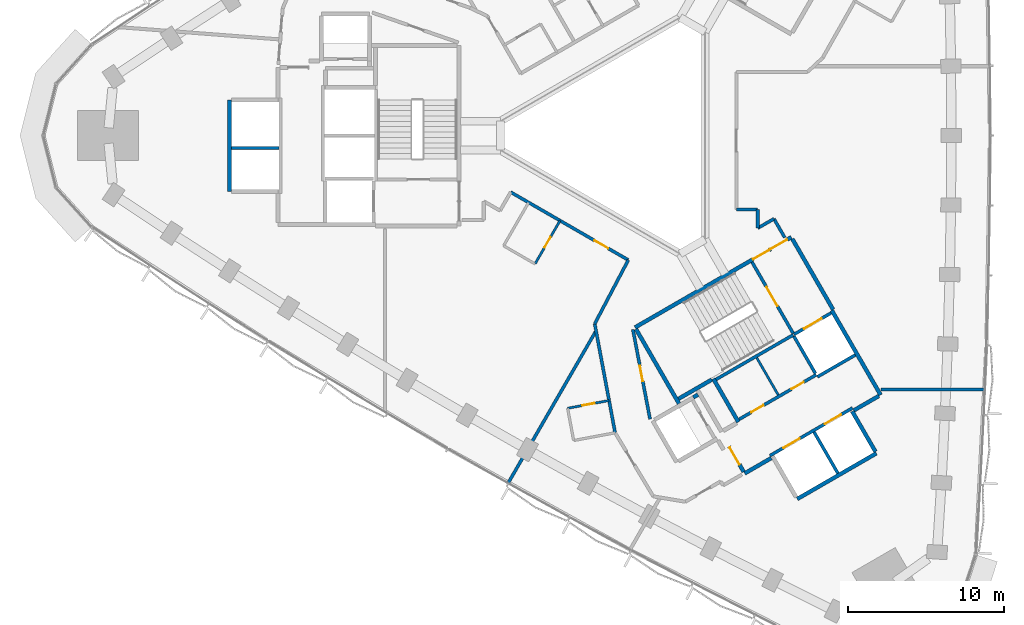
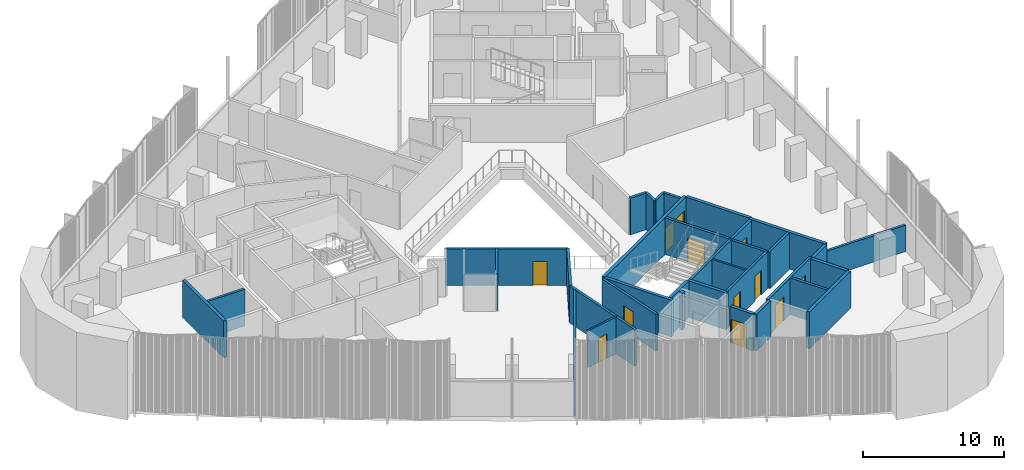
# One storey, part 8 of 15: 35 walls, 13 doors, 13 openings.
"""IFC4 building model written with IfcOpenShell, lengths in metres."""

import ifcopenshell
import ifcopenshell.guid

model = None  # the IFC model being written
_history = None  # IfcOwnerHistory: only IFC2X3 demands one
_inside = {}  # id of a spatial element -> (the spatial element, [elements in it])
_under = {}  # id of a project, library or spatial element -> (it, [spatial elements below it])
_declared = {}  # id of a project -> (the project, [libraries it declares])
_typed = {}  # id of a type object -> (the type object, [elements of that type])
_made_of = {}  # id of a material, layer set ... -> (it, [elements and type objects made of it])


def new_model(schema):
    """Start an empty IFC model of exactly this schema.

    Asked for "IFC4X3", IfcOpenShell would pick the latest addendum, in which some entities
    have other attributes; the version numbers below select the first issue.
    IFC2X3 requires an IfcOwnerHistory on every rooted entity: one is made here for all.
    """
    global model, _history
    if schema == "IFC4X3":
        model = ifcopenshell.file(schema_version=(4, 3, 0, 0))
    else:
        model = ifcopenshell.file(schema=schema)
    _inside.clear()
    _under.clear()
    _declared.clear()
    _typed.clear()
    _made_of.clear()
    _history = None
    if model.schema == "IFC2X3":
        org = make("IfcOrganization", Name="unknown")
        user = make(
            "IfcPersonAndOrganization",
            ThePerson=make("IfcPerson", FamilyName="unknown"),
            TheOrganization=org,
        )
        app = make(
            "IfcApplication",
            ApplicationDeveloper=org,
            Version="unknown",
            ApplicationFullName="unknown",
            ApplicationIdentifier="unknown",
        )
        _history = make(
            "IfcOwnerHistory",
            OwningUser=user,
            OwningApplication=app,
            ChangeAction="ADDED",
            CreationDate=0,
        )
    return model


def make(cls, **values):
    """One entity of the class cls with the attributes given. An attribute that is None is left unset."""
    return model.create_entity(
        cls, **{name: value for name, value in values.items() if value is not None}
    )


def rooted(cls, **values):
    """An entity with a GlobalId (a new one), such as an element, a storey or a relation."""
    return make(cls, GlobalId=ifcopenshell.guid.new(), OwnerHistory=_history, **values)


def si_unit(unit_type, name, prefix=None):
    """IfcSIUnit, for example si_unit("LENGTHUNIT", "METRE", prefix="MILLI")."""
    return make("IfcSIUnit", UnitType=unit_type, Prefix=prefix, Name=name)


def assignment(units):
    """IfcUnitAssignment: the units of a project."""
    return None if units is None else make("IfcUnitAssignment", Units=units)


def point(xyz):
    """IfcCartesianPoint."""
    return None if xyz is None else make("IfcCartesianPoint", Coordinates=xyz)


def direction(xyz):
    """IfcDirection."""
    return None if xyz is None else make("IfcDirection", DirectionRatios=xyz)


def frame(location, z_axis=None, x_axis=None):
    """IfcAxis2Placement3D, a coordinate frame: its origin and axes. An axis left out is left unset."""
    return make(
        "IfcAxis2Placement3D",
        Location=point(location),
        Axis=direction(z_axis),
        RefDirection=direction(x_axis),
    )


def frame_2d(location, x_axis=None):
    """IfcAxis2Placement2D, a coordinate frame in the plane: its origin and x axis."""
    return make(
        "IfcAxis2Placement2D", Location=point(location), RefDirection=direction(x_axis)
    )


def origin():
    """The frame at (0, 0, 0) with its axes left unset."""
    return frame((0.0, 0.0, 0.0))


def place(relative_to, where):
    """IfcLocalPlacement: puts the frame where relative to a parent placement (None: the world)."""
    return make(
        "IfcLocalPlacement", PlacementRelTo=relative_to, RelativePlacement=where
    )


def context(
    kind, dimensions, precision=None, world=None, true_north=None, identifier=None
):
    """IfcGeometricRepresentationContext, for example the 3D "Model" context."""
    return make(
        "IfcGeometricRepresentationContext",
        ContextIdentifier=identifier,
        ContextType=kind,
        CoordinateSpaceDimension=dimensions,
        Precision=precision,
        WorldCoordinateSystem=world,
        TrueNorth=true_north,
    )


def subcontext(parent, identifier, kind, view, scale=None):
    """IfcGeometricRepresentationSubContext, for example "Body" below "Model"."""
    return make(
        "IfcGeometricRepresentationSubContext",
        ContextIdentifier=identifier,
        ContextType=kind,
        ParentContext=parent,
        TargetScale=scale,
        TargetView=view,
    )


def project(units=None, contexts=None):
    """IfcProject with its units and contexts."""
    return rooted(
        "IfcProject",
        Name="project",
        RepresentationContexts=contexts,
        UnitsInContext=assignment(units),
    )


def spatial(cls, under=None, at=None, **own):
    """A site, building, storey or space (cls), placed at a placement, below another one or the project."""
    s = rooted(cls, ObjectPlacement=at, **own)
    if under is not None:
        _under.setdefault(under.id(), (under, []))[1].append(s)
    return s


def profile(cls, at=None, kind="AREA", **sizes):
    """A parametric profile (cls). Its sizes go by their IFC names, for example OverallWidth=200.0."""
    return make(cls, ProfileType=kind, Position=at, **sizes)


def rectangle(**sizes):
    """IfcRectangleProfileDef."""
    return profile("IfcRectangleProfileDef", **sizes)


def extrude(swept, where, along, depth):
    """IfcExtrudedAreaSolid: the profile swept, set in the frame where, extruded along a direction by depth."""
    return make(
        "IfcExtrudedAreaSolid",
        SweptArea=swept,
        Position=where,
        ExtrudedDirection=direction(along),
        Depth=depth,
    )


def shape(context_of_items, identifier, shape_type, items):
    """IfcShapeRepresentation: the items that make up one representation, for example the "Body"."""
    return make(
        "IfcShapeRepresentation",
        ContextOfItems=context_of_items,
        RepresentationIdentifier=identifier,
        RepresentationType=shape_type,
        Items=items,
    )


def material(Name=None, Category=None):
    """IfcMaterial."""
    return make("IfcMaterial", Name=Name, Category=Category)


def layer(
    of_material, thickness, ventilated=None, Name=None, Category=None, Priority=None
):
    """IfcMaterialLayer: one layer of a wall or slab, of a material (None: an air gap)."""
    return make(
        "IfcMaterialLayer",
        Material=of_material,
        LayerThickness=thickness,
        IsVentilated=ventilated,
        Name=Name,
        Category=Category,
        Priority=Priority,
    )


def layer_set(layers, Name=None):
    """IfcMaterialLayerSet."""
    return make("IfcMaterialLayerSet", MaterialLayers=layers, LayerSetName=Name)


def made_of(thing, what):
    """Note that an element or type object is made of a material, layer set ...; save() writes the relation."""
    if what is not None:
        _made_of.setdefault(what.id(), (what, []))[1].append(thing)
    return thing


def type_object(cls, material=None, **own):
    """A type object (cls), such as IfcWallType, which elements share."""
    return made_of(rooted(cls, **own), material)


def element(
    cls,
    number,
    at=None,
    inside=None,
    cuts=None,
    type_object=None,
    material=None,
    context=None,
    identifier="Body",
    shape_type=None,
    held_by="IfcProductDefinitionShape",
    body=None,
    shapes=None,
    **own,
):
    """One element of the class cls, such as IfcWall. Its Tag is "e" and its number.

    at: its placement. inside: the storey or other place that contains it. cuts: it is an
    opening in that element (IfcRelVoidsElement). A single representation is given by context,
    identifier, shape_type and body (its items); several are given by shapes. held_by: the class
    of the entity that holds the representations. save() writes the other relations.
    """
    e = rooted(cls, Tag="e%d" % number, ObjectPlacement=at, **own)
    if body is not None:
        shapes = [shape(context, identifier, shape_type, body)]
    if shapes is not None:
        e.Representation = make(held_by, Representations=shapes)
    if inside is not None:
        _inside.setdefault(inside.id(), (inside, []))[1].append(e)
    if cuts is not None:
        rooted(
            "IfcRelVoidsElement", RelatingBuildingElement=cuts, RelatedOpeningElement=e
        )
    if type_object is not None:
        _typed.setdefault(type_object.id(), (type_object, []))[1].append(e)
    return made_of(e, material)


def fill(opening, filler):
    """IfcRelFillsElement: the door or window that sits in an opening."""
    return rooted(
        "IfcRelFillsElement",
        RelatingOpeningElement=opening,
        RelatedBuildingElement=filler,
    )


def aggregate(whole, parts):
    """IfcRelAggregates: a whole, such as a stair, and the parts it consists of."""
    return rooted("IfcRelAggregates", RelatingObject=whole, RelatedObjects=parts)


def save(model, path):
    """Write the relations noted so far, then the file.

    IfcRelAggregates (storeys below a building ...), IfcRelContainedInSpatialStructure (elements
    in a storey), IfcRelDefinesByType, IfcRelAssociatesMaterial and IfcRelDeclares: one each for
    every whole, place, type object, material and project.
    """
    for whole, parts in _under.values():
        aggregate(whole, parts)
    for where, things in _inside.values():
        rooted(
            "IfcRelContainedInSpatialStructure",
            RelatedElements=things,
            RelatingStructure=where,
        )
    for kind, things in _typed.values():
        rooted("IfcRelDefinesByType", RelatedObjects=things, RelatingType=kind)
    for what, things in _made_of.values():
        rooted("IfcRelAssociatesMaterial", RelatedObjects=things, RelatingMaterial=what)
    for by, libraries in _declared.values():
        rooted("IfcRelDeclares", RelatingContext=by, RelatedDefinitions=libraries)
    model.write(path)


model = new_model("IFC4")

# Units and contexts
model_context = context("Model", 3, precision=1e-05, world=origin(), true_north=direction((0.0, 1.0)))
body_context = subcontext(model_context, "Body", "Model", "MODEL_VIEW")
ifc_project = project(units=[si_unit("LENGTHUNIT", "METRE"), si_unit("AREAUNIT", "SQUARE_METRE"), si_unit("VOLUMEUNIT", "CUBIC_METRE"), si_unit("PLANEANGLEUNIT", "RADIAN"), si_unit("MASSUNIT", "GRAM", prefix="KILO")], contexts=[model_context])

# Site, building, storey
site_placement = place(None, origin())
site = spatial("IfcSite", under=ifc_project, at=site_placement, CompositionType="ELEMENT")
building_placement = place(site_placement, origin())
building = spatial("IfcBuilding", under=site, at=building_placement, Name="Tamra Quay Hotel Tower", CompositionType="ELEMENT")
storey_placement = place(building_placement, frame((0.0, 0.0, 101.0)))
storey = spatial("IfcBuildingStorey", under=building, at=storey_placement, Name="L24", CompositionType="ELEMENT", Elevation=101.0)

# Wall
ifc_material_1 = material(Name="Concrete M70", Category="concrete")
ifc_layer_1 = layer(ifc_material_1, 0.199951171875)
ifc_layer_set_1 = layer_set([ifc_layer_1], Name="Concrete M70 core wall 200")
wall_type_1 = type_object("IfcWallType", Name="Concrete M70 core wall 200", PredefinedType="SHEAR", material=ifc_layer_set_1)
wall_1_placement = place(storey_placement, frame((-22.36328125, -0.800048828125, 0.0), z_axis=(0.0, 0.0, 1.0), x_axis=(-1.0, 0.0, 0.0)))
element("IfcWall", 1, at=wall_1_placement, inside=storey, type_object=wall_type_1, Name="CW2", PredefinedType="SHEAR", context=body_context, shape_type="SweptSolid", body=[
    extrude(rectangle(XDim=3.048095703125, YDim=0.199951171875, at=frame_2d((1.52392578125, 0.0))), origin(), (0.0, 0.0, 1.0), 3.175048828125),
])

# Wall, openings, doors
wall_2_placement = place(storey_placement, frame((9.052490234375, -20.479736328125, 0.0), z_axis=(0.0, 0.0, 1.0), x_axis=(0.866030299012, 0.499991521122, 0.0)))
wall_2 = element("IfcWall", 2, at=wall_2_placement, inside=storey, type_object=wall_type_1, Name="CW2", PredefinedType="SHEAR", context=body_context, shape_type="SweptSolid", body=[
    extrude(rectangle(XDim=6.10009765625, YDim=0.199951171875, at=frame_2d((3.050048828125, 0.0))), origin(), (0.0, 0.0, 1.0), 3.175048828125),
])
opening_1_placement = place(wall_2_placement, frame((1.0, 0.0, 0.0)))
opening_1 = element("IfcOpeningElement", 3, at=opening_1_placement, cuts=wall_2, Name="Opening LD", PredefinedType="OPENING", context=body_context, shape_type="SweptSolid", body=[
    extrude(rectangle(XDim=1.199951171875, YDim=2.10009765625, at=frame_2d((0.60009765625, 1.050048828125))), frame((0.0, 0.10986328125, 0.0), z_axis=(0.0, -1.0, 0.0), x_axis=(1.0, 0.0, 0.0)), (0.0, 0.0, 1.0), 0.219970703125),
])
opening_2_placement = place(wall_2_placement, frame((4.05029296875, 0.0, 0.0)))
opening_2 = element("IfcOpeningElement", 4, at=opening_2_placement, cuts=wall_2, Name="Opening LD", PredefinedType="OPENING", context=body_context, shape_type="SweptSolid", body=[
    extrude(rectangle(XDim=1.199951171875, YDim=2.10009765625, at=frame_2d((0.60009765625, 1.050048828125))), frame((0.0, 0.10986328125, 0.0), z_axis=(0.0, -1.0, 0.0), x_axis=(1.0, 0.0, 0.0)), (0.0, 0.0, 1.0), 0.219970703125),
])
ifc_material_2 = material(Name="Landing door LD 1200 double door sliding")
door_type_1 = type_object("IfcDoorType", Name="Landing door LD 1200 double door sliding", OperationType="DOUBLE_DOOR_SLIDING", PredefinedType="DOOR", material=ifc_material_2)
door_1_placement = place(opening_1_placement, origin())
door_1 = element("IfcDoor", 5, at=door_1_placement, inside=storey, type_object=door_type_1, Name="LD", OperationType="DOUBLE_DOOR_SLIDING", OverallHeight=2.10009765625, OverallWidth=1.199951171875, PredefinedType="DOOR", context=body_context, shape_type="SweptSolid", body=[
    extrude(rectangle(XDim=1.199951171875, YDim=2.10009765625, at=frame_2d((0.60009765625, 1.050048828125))), frame((0.0, 0.02490234375, 0.0), z_axis=(0.0, -1.0, 0.0), x_axis=(1.0, 0.0, 0.0)), (0.0, 0.0, 1.0), 0.050048828125),
])
fill(opening_1, door_1)
door_2_placement = place(opening_2_placement, origin())
door_2 = element("IfcDoor", 6, at=door_2_placement, inside=storey, type_object=door_type_1, Name="LD", OperationType="DOUBLE_DOOR_SLIDING", OverallHeight=2.10009765625, OverallWidth=1.199951171875, PredefinedType="DOOR", context=body_context, shape_type="SweptSolid", body=[
    extrude(rectangle(XDim=1.199951171875, YDim=2.10009765625, at=frame_2d((0.60009765625, 1.050048828125))), frame((0.0, 0.02490234375, 0.0), z_axis=(0.0, -1.0, 0.0), x_axis=(1.0, 0.0, 0.0)), (0.0, 0.0, 1.0), 0.050048828125),
])
fill(opening_2, door_2)

# Wall
wall_3_placement = place(storey_placement, frame((10.537841796875, -12.751953125, 0.0), z_axis=(0.0, 0.0, 1.0), x_axis=(-0.866038630372, -0.499977090179, 0.0)))
element("IfcWall", 7, at=wall_3_placement, inside=storey, type_object=wall_type_1, Name="CW2", PredefinedType="SHEAR", context=body_context, shape_type="SweptSolid", body=[
    extrude(rectangle(XDim=5.698974609375, YDim=0.199951171875, at=frame_2d((2.849609375, 0.0))), origin(), (0.0, 0.0, 1.0), 3.175048828125),
])

# Wall, openings, doors
wall_4_placement = place(storey_placement, frame((7.0771484375, -18.156005859375, 0.0), z_axis=(0.0, 0.0, 1.0), x_axis=(0.866038630372, 0.499977090179, 0.0)))
wall_4 = element("IfcWall", 8, at=wall_4_placement, inside=storey, type_object=wall_type_1, Name="CW2", PredefinedType="SHEAR", context=body_context, shape_type="SweptSolid", body=[
    extrude(rectangle(XDim=5.698974609375, YDim=0.199951171875, at=frame_2d((2.849609375, 0.0))), origin(), (0.0, 0.0, 1.0), 3.175048828125),
])
opening_3_placement = place(wall_4_placement, frame((0.89892578125, 0.0, 0.0)))
opening_3 = element("IfcOpeningElement", 9, at=opening_3_placement, cuts=wall_4, Name="Opening D2", PredefinedType="OPENING", context=body_context, shape_type="SweptSolid", body=[
    extrude(rectangle(XDim=0.89990234375, YDim=2.10009765625, at=frame_2d((0.449951171875, 1.050048828125))), frame((0.0, 0.10986328125, 0.0), z_axis=(0.0, -1.0, 0.0), x_axis=(1.0, 0.0, 0.0)), (0.0, 0.0, 1.0), 0.219970703125),
])
opening_4_placement = place(wall_4_placement, frame((3.8740234375, 0.0, 0.0)))
opening_4 = element("IfcOpeningElement", 10, at=opening_4_placement, cuts=wall_4, Name="Opening D2", PredefinedType="OPENING", context=body_context, shape_type="SweptSolid", body=[
    extrude(rectangle(XDim=0.89990234375, YDim=2.10009765625, at=frame_2d((0.449951171875, 1.050048828125))), frame((0.0, 0.10986328125, 0.0), z_axis=(0.0, -1.0, 0.0), x_axis=(1.0, 0.0, 0.0)), (0.0, 0.0, 1.0), 0.219970703125),
])
ifc_material_3 = material(Name="Core door D2 900x2100 LH")
door_type_2 = type_object("IfcDoorType", Name="Core door D2 900x2100 LH", OperationType="NOTDEFINED", PredefinedType="DOOR", material=ifc_material_3)
door_3_placement = place(opening_3_placement, origin())
door_3 = element("IfcDoor", 11, at=door_3_placement, inside=storey, type_object=door_type_2, Name="D2", OperationType="SINGLE_SWING_LEFT", OverallHeight=2.10009765625, OverallWidth=0.89990234375, PredefinedType="DOOR", context=body_context, shape_type="SweptSolid", body=[
    extrude(rectangle(XDim=0.89990234375, YDim=2.10009765625, at=frame_2d((0.449951171875, 1.050048828125))), frame((0.0, 0.02490234375, 0.0), z_axis=(0.0, -1.0, 0.0), x_axis=(1.0, 0.0, 0.0)), (0.0, 0.0, 1.0), 0.050048828125),
])
fill(opening_3, door_3)
ifc_material_4 = material(Name="Core door D2 900x2100 RH")
door_type_3 = type_object("IfcDoorType", Name="Core door D2 900x2100 RH", OperationType="NOTDEFINED", PredefinedType="DOOR", material=ifc_material_4)
door_4_placement = place(opening_4_placement, origin())
door_4 = element("IfcDoor", 12, at=door_4_placement, inside=storey, type_object=door_type_3, Name="D2", OperationType="SINGLE_SWING_RIGHT", OverallHeight=2.10009765625, OverallWidth=0.89990234375, PredefinedType="DOOR", context=body_context, shape_type="SweptSolid", body=[
    extrude(rectangle(XDim=0.89990234375, YDim=2.10009765625, at=frame_2d((0.449951171875, 1.050048828125))), frame((0.0, 0.02490234375, 0.0), z_axis=(0.0, -1.0, 0.0), x_axis=(1.0, 0.0, 0.0)), (0.0, 0.0, 1.0), 0.050048828125),
])
fill(opening_4, door_4)

# Wall, opening, door
wall_5_placement = place(storey_placement, frame((7.906494140625, -8.094482421875, 0.0), z_axis=(0.0, 0.0, 1.0), x_axis=(0.500024287448, -0.866011380966, 0.0)))
wall_5 = element("IfcWall", 13, at=wall_5_placement, inside=storey, type_object=wall_type_1, Name="CW2", PredefinedType="SHEAR", context=body_context, shape_type="SweptSolid", body=[
    extrude(rectangle(XDim=5.251220703125, YDim=0.199951171875, at=frame_2d((2.62548828125, 0.0))), origin(), (0.0, 0.0, 1.0), 3.175048828125),
])
opening_5_placement = place(wall_5_placement, frame((1.84912109375, 0.0, 0.0)))
opening_5 = element("IfcOpeningElement", 14, at=opening_5_placement, cuts=wall_5, Name="Opening FD2", PredefinedType="OPENING", context=body_context, shape_type="SweptSolid", body=[
    extrude(rectangle(XDim=1.39990234375, YDim=2.10009765625, at=frame_2d((0.699951171875, 1.050048828125))), frame((0.0, 0.10986328125, 0.0), z_axis=(0.0, -1.0, 0.0), x_axis=(1.0, 0.0, 0.0)), (0.0, 0.0, 1.0), 0.219970703125),
])
ifc_material_5 = material(Name="Core door FD2 1400x2100 RH")
door_type_4 = type_object("IfcDoorType", Name="Core door FD2 1400x2100 RH", OperationType="NOTDEFINED", PredefinedType="DOOR", material=ifc_material_5)
door_5_placement = place(opening_5_placement, origin())
door_5 = element("IfcDoor", 15, at=door_5_placement, inside=storey, type_object=door_type_4, Name="FD2", OperationType="SINGLE_SWING_RIGHT", OverallHeight=2.10009765625, OverallWidth=1.39990234375, PredefinedType="DOOR", context=body_context, shape_type="SweptSolid", body=[
    extrude(rectangle(XDim=1.39990234375, YDim=2.10009765625, at=frame_2d((0.699951171875, 1.050048828125))), frame((0.0, 0.02490234375, 0.0), z_axis=(0.0, -1.0, 0.0), x_axis=(1.0, 0.0, 0.0)), (0.0, 0.0, 1.0), 0.050048828125),
])
fill(opening_5, door_5)

# Walls
wall_6_placement = place(storey_placement, frame((11.87451171875, -18.967041015625, 0.0), z_axis=(0.0, 0.0, 1.0), x_axis=(0.49998131003, -0.866036194175, 0.0)))
element("IfcWall", 16, at=wall_6_placement, inside=storey, type_object=wall_type_1, Name="CW2", PredefinedType="SHEAR", context=body_context, shape_type="SweptSolid", body=[
    extrude(rectangle(XDim=3.0478515625, YDim=0.199951171875, at=frame_2d((1.52392578125, 0.0))), origin(), (0.0, 0.0, 1.0), 3.175048828125),
])
wall_7_placement = place(storey_placement, frame((11.962646484375, -15.219970703125, 0.0), z_axis=(0.0, 0.0, 1.0), x_axis=(-0.500034990121, 0.866005201286, 0.0)))
element("IfcWall", 17, at=wall_7_placement, inside=storey, type_object=wall_type_1, Name="CW2", PredefinedType="SHEAR", context=body_context, shape_type="SweptSolid", body=[
    extrude(rectangle(XDim=2.749755859375, YDim=0.199951171875, at=frame_2d((1.375, 0.0))), origin(), (0.0, 0.0, 1.0), 3.175048828125),
])

# Wall, opening, door
wall_8_placement = place(storey_placement, frame((10.587158203125, -12.72314453125, 0.0), z_axis=(0.0, 0.0, 1.0), x_axis=(0.866037306777, 0.499979382845, 0.0)))
wall_8 = element("IfcWall", 18, at=wall_8_placement, inside=storey, type_object=wall_type_1, Name="CW2", PredefinedType="SHEAR", context=body_context, shape_type="SweptSolid", body=[
    extrude(rectangle(XDim=2.74169921875, YDim=0.199951171875, at=frame_2d((1.370849609375, 0.0))), origin(), (0.0, 0.0, 1.0), 3.175048828125),
])
opening_6_placement = place(wall_8_placement, frame((0.742919921875, 0.0, 0.0)))
opening_6 = element("IfcOpeningElement", 19, at=opening_6_placement, cuts=wall_8, Name="Opening LD", PredefinedType="OPENING", context=body_context, shape_type="SweptSolid", body=[
    extrude(rectangle(XDim=1.300048828125, YDim=2.10009765625, at=frame_2d((0.64990234375, 1.050048828125))), frame((0.0, 0.10986328125, 0.0), z_axis=(0.0, -1.0, 0.0), x_axis=(1.0, 0.0, 0.0)), (0.0, 0.0, 1.0), 0.219970703125),
])
ifc_material_6 = material(Name="Landing door LD 1300 sliding to right")
door_type_5 = type_object("IfcDoorType", Name="Landing door LD 1300 sliding to right", OperationType="NOTDEFINED", PredefinedType="DOOR", material=ifc_material_6)
door_6_placement = place(opening_6_placement, origin())
door_6 = element("IfcDoor", 20, at=door_6_placement, inside=storey, type_object=door_type_5, Name="LD", OperationType="SLIDING_TO_RIGHT", OverallHeight=2.10009765625, OverallWidth=1.300048828125, PredefinedType="DOOR", context=body_context, shape_type="SweptSolid", body=[
    extrude(rectangle(XDim=1.300048828125, YDim=2.10009765625, at=frame_2d((0.64990234375, 1.050048828125))), frame((0.0, 0.02490234375, 0.0), z_axis=(0.0, -1.0, 0.0), x_axis=(1.0, 0.0, 0.0)), (0.0, 0.0, 1.0), 0.050048828125),
])
fill(opening_6, door_6)

# Walls
wall_9_placement = place(storey_placement, frame((14.51171875, -14.037109375, 0.0), z_axis=(0.0, 0.0, 1.0), x_axis=(-0.866044696403, -0.499966582715, 0.0)))
element("IfcWall", 21, at=wall_9_placement, inside=storey, type_object=wall_type_1, Name="CW2", PredefinedType="SHEAR", context=body_context, shape_type="SweptSolid", body=[
    extrude(rectangle(XDim=2.799072265625, YDim=0.199951171875, at=frame_2d((1.3994140625, 0.0))), origin(), (0.0, 0.0, 1.0), 3.175048828125),
])
ifc_layer_2 = layer(ifc_material_1, 0.25)
ifc_layer_set_2 = layer_set([ifc_layer_2], Name="Concrete M70 core wall 250")
wall_type_2 = type_object("IfcWallType", Name="Concrete M70 core wall 250", PredefinedType="SHEAR", material=ifc_layer_set_2)
wall_10_placement = place(storey_placement, frame((-25.537353515625, -3.574951171875, 0.0), z_axis=(0.0, 0.0, 1.0), x_axis=(0.0, 1.0, 0.0)))
element("IfcWall", 22, at=wall_10_placement, inside=storey, type_object=wall_type_2, Name="CW1", PredefinedType="SHEAR", context=body_context, shape_type="SweptSolid", body=[
    extrude(rectangle(XDim=5.849853515625, YDim=0.25, at=frame_2d((2.9248046875, 0.0))), origin(), (0.0, 0.0, 1.0), 3.175048828125),
])

# Wall, openings, doors
wall_11_placement = place(storey_placement, frame((0.417236328125, -12.27294921875, 0.0), z_axis=(0.0, 0.0, 1.0), x_axis=(0.866021906294, 0.500006057782, 0.0)))
wall_11 = element("IfcWall", 23, at=wall_11_placement, inside=storey, type_object=wall_type_2, Name="CW1", PredefinedType="SHEAR", context=body_context, shape_type="SweptSolid", body=[
    extrude(rectangle(XDim=11.550048828125, YDim=0.25, at=frame_2d((5.77490234375, 0.0))), origin(), (0.0, 0.0, 1.0), 3.175048828125),
])
opening_7_placement = place(wall_11_placement, frame((10.024658203125, 0.0, 0.0)))
opening_7 = element("IfcOpeningElement", 24, at=opening_7_placement, cuts=wall_11, Name="Opening FD1", PredefinedType="OPENING", context=body_context, shape_type="SweptSolid", body=[
    extrude(rectangle(XDim=1.199951171875, YDim=2.10009765625, at=frame_2d((0.60009765625, 1.050048828125))), frame((0.0, 0.135009765625, 0.0), z_axis=(0.0, -1.0, 0.0), x_axis=(1.0, 0.0, 0.0)), (0.0, 0.0, 1.0), 0.27001953125),
])
opening_8_placement = place(wall_11_placement, frame((8.724609375, 0.0, 0.0)))
opening_8 = element("IfcOpeningElement", 25, at=opening_8_placement, cuts=wall_11, Name="Opening FD1", PredefinedType="OPENING", context=body_context, shape_type="SweptSolid", body=[
    extrude(rectangle(XDim=1.199951171875, YDim=2.10009765625, at=frame_2d((0.60009765625, 1.050048828125))), frame((0.0, 0.135009765625, 0.0), z_axis=(0.0, -1.0, 0.0), x_axis=(1.0, 0.0, 0.0)), (0.0, 0.0, 1.0), 0.27001953125),
])
ifc_material_7 = material(Name="Core door FD1 1200x2100 LH")
door_type_6 = type_object("IfcDoorType", Name="Core door FD1 1200x2100 LH", OperationType="NOTDEFINED", PredefinedType="DOOR", material=ifc_material_7)
door_7_placement = place(opening_7_placement, origin())
door_7 = element("IfcDoor", 26, at=door_7_placement, inside=storey, type_object=door_type_6, Name="FD1", OperationType="SINGLE_SWING_LEFT", OverallHeight=2.10009765625, OverallWidth=1.199951171875, PredefinedType="DOOR", context=body_context, shape_type="SweptSolid", body=[
    extrude(rectangle(XDim=1.199951171875, YDim=2.10009765625, at=frame_2d((0.60009765625, 1.050048828125))), frame((0.0, 0.02490234375, 0.0), z_axis=(0.0, -1.0, 0.0), x_axis=(1.0, 0.0, 0.0)), (0.0, 0.0, 1.0), 0.050048828125),
])
fill(opening_7, door_7)
ifc_material_8 = material(Name="Core door FD1 1200x2100 RH")
door_type_7 = type_object("IfcDoorType", Name="Core door FD1 1200x2100 RH", OperationType="NOTDEFINED", PredefinedType="DOOR", material=ifc_material_8)
door_8_placement = place(opening_8_placement, origin())
door_8 = element("IfcDoor", 27, at=door_8_placement, inside=storey, type_object=door_type_7, Name="FD1", OperationType="SINGLE_SWING_RIGHT", OverallHeight=2.10009765625, OverallWidth=1.199951171875, PredefinedType="DOOR", context=body_context, shape_type="SweptSolid", body=[
    extrude(rectangle(XDim=1.199951171875, YDim=2.10009765625, at=frame_2d((0.60009765625, 1.050048828125))), frame((0.0, 0.02490234375, 0.0), z_axis=(0.0, -1.0, 0.0), x_axis=(1.0, 0.0, 0.0)), (0.0, 0.0, 1.0), 0.050048828125),
])
fill(opening_8, door_8)

# Walls
wall_12_placement = place(storey_placement, frame((13.00830078125, -11.18115234375, 0.0), z_axis=(0.0, 0.0, 1.0), x_axis=(0.500004234368, -0.866022959057, 0.0)))
element("IfcWall", 28, at=wall_12_placement, inside=storey, type_object=wall_type_2, Name="CW1", PredefinedType="SHEAR", context=body_context, shape_type="SweptSolid", body=[
    extrude(rectangle(XDim=6.25, YDim=0.25, at=frame_2d((3.125, 0.0))), origin(), (0.0, 0.0, 1.0), 3.175048828125),
])
wall_13_placement = place(storey_placement, frame((15.86474609375, -20.328369140625, 0.0), z_axis=(0.0, 0.0, 1.0), x_axis=(-0.86602852612, -0.499994591916, 0.0)))
element("IfcWall", 29, at=wall_13_placement, inside=storey, type_object=wall_type_2, Name="CW1", PredefinedType="SHEAR", context=body_context, shape_type="SweptSolid", body=[
    extrude(rectangle(XDim=5.85009765625, YDim=0.25, at=frame_2d((2.925048828125, 0.0))), origin(), (0.0, 0.0, 1.0), 3.175048828125),
])
wall_14_placement = place(storey_placement, frame((3.23486328125, -17.15283203125, 0.0), z_axis=(0.0, 0.0, 1.0), x_axis=(-0.500008851346, 0.866020293397, 0.0)))
element("IfcWall", 30, at=wall_14_placement, inside=storey, type_object=wall_type_2, Name="CW1", PredefinedType="SHEAR", context=body_context, shape_type="SweptSolid", body=[
    extrude(rectangle(XDim=5.509765625, YDim=0.25, at=frame_2d((2.7548828125, 0.0))), origin(), (0.0, 0.0, 1.0), 3.175048828125),
])
wall_15_placement = place(storey_placement, frame((10.482666015625, -6.6064453125, 0.0), z_axis=(0.0, 0.0, 1.0), x_axis=(0.49999885962, -0.866026062182, 0.0)))
element("IfcWall", 31, at=wall_15_placement, inside=storey, type_object=wall_type_2, Name="CW1", PredefinedType="SHEAR", context=body_context, shape_type="SweptSolid", body=[
    extrude(rectangle(XDim=5.224609375, YDim=0.25, at=frame_2d((2.6123046875, 0.0))), origin(), (0.0, 0.0, 1.0), 3.175048828125),
])
wall_16_placement = place(storey_placement, frame((7.030517578125, -18.327392578125, 0.0), z_axis=(0.0, 0.0, 1.0), x_axis=(-0.499971222258, 0.866042017984, 0.0)))
element("IfcWall", 32, at=wall_16_placement, inside=storey, type_object=wall_type_2, Name="CW1", PredefinedType="SHEAR", context=body_context, shape_type="SweptSolid", body=[
    extrude(rectangle(XDim=3.199951171875, YDim=0.25, at=frame_2d((1.60009765625, 0.0))), origin(), (0.0, 0.0, 1.0), 3.175048828125),
])
wall_17_placement = place(storey_placement, frame((14.314697265625, -17.643798828125, 0.0), z_axis=(0.0, 0.0, 1.0), x_axis=(0.500023226632, -0.866011993467, 0.0)))
element("IfcWall", 33, at=wall_17_placement, inside=storey, type_object=wall_type_2, Name="CW1", PredefinedType="SHEAR", context=body_context, shape_type="SweptSolid", body=[
    extrude(rectangle(XDim=2.974365234375, YDim=0.25, at=frame_2d((1.4873046875, 0.0))), origin(), (0.0, 0.0, 1.0), 3.175048828125),
])
wall_18_placement = place(storey_placement, frame((5.322021484375, -15.618896484375, 0.0), z_axis=(0.0, 0.0, 1.0), x_axis=(-0.866026229868, -0.499998569178, 0.0)))
element("IfcWall", 34, at=wall_18_placement, inside=storey, type_object=wall_type_2, Name="CW1", PredefinedType="SHEAR", context=body_context, shape_type="SweptSolid", body=[
    extrude(rectangle(XDim=2.44921875, YDim=0.25, at=frame_2d((1.224609375, 0.0))), origin(), (0.0, 0.0, 1.0), 3.175048828125),
])
wall_19_placement = place(storey_placement, frame((9.139892578125, -20.63134765625, 0.0), z_axis=(0.0, 0.0, 1.0), x_axis=(-0.866043531843, -0.499968599967, 0.0)))
element("IfcWall", 35, at=wall_19_placement, inside=storey, type_object=wall_type_2, Name="CW1", PredefinedType="SHEAR", context=body_context, shape_type="SweptSolid", body=[
    extrude(rectangle(XDim=1.974853515625, YDim=0.25, at=frame_2d((0.9873046875, 0.0))), origin(), (0.0, 0.0, 1.0), 3.175048828125),
])
wall_20_placement = place(storey_placement, frame((16.024658203125, -16.656494140625, 0.0), z_axis=(0.0, 0.0, 1.0), x_axis=(-0.866016279763, -0.500015802937, 0.0)))
element("IfcWall", 36, at=wall_20_placement, inside=storey, type_object=wall_type_2, Name="CW1", PredefinedType="SHEAR", context=body_context, shape_type="SweptSolid", body=[
    extrude(rectangle(XDim=1.84912109375, YDim=0.25, at=frame_2d((0.924560546875, 0.0))), origin(), (0.0, 0.0, 1.0), 3.175048828125),
])

# Wall, opening, door
wall_21_placement = place(storey_placement, frame((7.3671875, -21.51025390625, 0.0), z_axis=(0.0, 0.0, 1.0), x_axis=(-0.499983108224, 0.866035156036, 0.0)))
wall_21 = element("IfcWall", 37, at=wall_21_placement, inside=storey, type_object=wall_type_2, Name="CW1", PredefinedType="SHEAR", context=body_context, shape_type="SweptSolid", body=[
    extrude(rectangle(XDim=1.86474609375, YDim=0.25, at=frame_2d((0.932373046875, 0.0))), origin(), (0.0, 0.0, 1.0), 3.175048828125),
])
opening_9_placement = place(wall_21_placement, frame((0.53466796875, 0.0, 0.0)))
opening_9 = element("IfcOpeningElement", 38, at=opening_9_placement, cuts=wall_21, Name="Opening FD3", PredefinedType="OPENING", context=body_context, shape_type="SweptSolid", body=[
    extrude(rectangle(XDim=1.25, YDim=2.10009765625, at=frame_2d((0.625, 1.050048828125))), frame((0.0, 0.135009765625, 0.0), z_axis=(0.0, -1.0, 0.0), x_axis=(1.0, 0.0, 0.0)), (0.0, 0.0, 1.0), 0.27001953125),
])
ifc_material_9 = material(Name="Core door FD3 1250x2100 LH")
door_type_8 = type_object("IfcDoorType", Name="Core door FD3 1250x2100 LH", OperationType="NOTDEFINED", PredefinedType="DOOR", material=ifc_material_9)
door_9_placement = place(opening_9_placement, origin())
door_9 = element("IfcDoor", 39, at=door_9_placement, inside=storey, type_object=door_type_8, Name="FD3", OperationType="SINGLE_SWING_LEFT", OverallHeight=2.10009765625, OverallWidth=1.25, PredefinedType="DOOR", context=body_context, shape_type="SweptSolid", body=[
    extrude(rectangle(XDim=1.25, YDim=2.10009765625, at=frame_2d((0.625, 1.050048828125))), frame((0.0, 0.02490234375, 0.0), z_axis=(0.0, -1.0, 0.0), x_axis=(1.0, 0.0, 0.0)), (0.0, 0.0, 1.0), 0.050048828125),
])
fill(opening_9, door_9)

# Walls
wall_22_placement = place(storey_placement, frame((4.144775390625, -16.748779296875, 0.0), z_axis=(0.0, 0.0, 1.0), x_axis=(0.866185586049, 0.49972245349, 0.0)))
element("IfcWall", 40, at=wall_22_placement, inside=storey, type_object=wall_type_2, Name="CW1", PredefinedType="SHEAR", context=body_context, shape_type="SweptSolid", body=[
    extrude(rectangle(XDim=0.344482421875, YDim=0.25, at=frame_2d((0.17236328125, 0.0))), origin(), (0.0, 0.0, 1.0), 3.175048828125),
])
ifc_material_10 = material(Name="Blockwork", Category="masonry")
ifc_layer_3 = layer(ifc_material_10, 0.14990234375)
ifc_layer_set_3 = layer_set([ifc_layer_3], Name="Core partition block 150")
wall_type_3 = type_object("IfcWallType", Name="Core partition block 150", PredefinedType="PARTITIONING", material=ifc_layer_set_3)
wall_23_placement = place(storey_placement, frame((8.20654296875, -14.214111328125, 0.0), z_axis=(0.0, 0.0, 1.0), x_axis=(0.50002746344, -0.86600954718, 0.0)))
element("IfcWall", 41, at=wall_23_placement, inside=storey, type_object=wall_type_3, Name="CP1", PredefinedType="PARTITIONING", context=body_context, shape_type="SweptSolid", body=[
    extrude(rectangle(XDim=2.748291015625, YDim=0.14990234375, at=frame_2d((1.3740234375, 0.0))), origin(), (0.0, 0.0, 1.0), 3.175048828125),
])

# Wall, opening, door
ifc_material_11 = material(Name="Partition corridor wall")
ifc_layer_4 = layer(ifc_material_11, 0.199951171875)
ifc_layer_set_4 = layer_set([ifc_layer_4], Name="Partition corridor wall")
wall_type_4 = type_object("IfcWallType", Name="Partition corridor wall", PredefinedType="PARTITIONING", material=ifc_layer_set_4)
wall_24_placement = place(storey_placement, frame((-7.539306640625, -3.61572265625, 0.0), z_axis=(0.0, 0.0, 1.0), x_axis=(0.866101372471, -0.499868395285, 0.0)))
wall_24 = element("IfcWall", 42, at=wall_24_placement, inside=storey, type_object=wall_type_4, Name="W-C", PredefinedType="PARTITIONING", context=body_context, shape_type="SweptSolid", body=[
    extrude(rectangle(XDim=8.688720703125, YDim=0.199951171875, at=frame_2d((4.34423828125, 0.0))), origin(), (0.0, 0.0, 1.0), 3.175048828125),
])
opening_10_placement = place(wall_24_placement, frame((6.203125, 0.0, 0.0)))
opening_10 = element("IfcOpeningElement", 43, at=opening_10_placement, cuts=wall_24, Name="Opening L24-D013", PredefinedType="OPENING", context=body_context, shape_type="SweptSolid", body=[
    extrude(rectangle(XDim=1.0, YDim=2.10009765625, at=frame_2d((0.5, 1.050048828125))), frame((0.0, 0.10986328125, 0.0), z_axis=(0.0, -1.0, 0.0), x_axis=(1.0, 0.0, 0.0)), (0.0, 0.0, 1.0), 0.219970703125),
])
ifc_material_12 = material(Name="Door guest room 1000x2100")
door_type_9 = type_object("IfcDoorType", Name="Door guest room 1000x2100", OperationType="NOTDEFINED", PredefinedType="DOOR", material=ifc_material_12)
door_10_placement = place(opening_10_placement, frame((1.0, 0.0, 0.0), z_axis=(0.0, 0.0, 1.0), x_axis=(-1.0, 0.0, 0.0)))
door_10 = element("IfcDoor", 44, at=door_10_placement, inside=storey, type_object=door_type_9, Name="L24-D013", OperationType="SINGLE_SWING_LEFT", OverallHeight=2.10009765625, OverallWidth=1.0, PredefinedType="DOOR", context=body_context, shape_type="SweptSolid", body=[
    extrude(rectangle(XDim=1.0, YDim=2.10009765625, at=frame_2d((0.5, 1.050048828125))), frame((0.0, 0.02490234375, 0.0), z_axis=(0.0, -1.0, 0.0), x_axis=(1.0, 0.0, 0.0)), (0.0, 0.0, 1.0), 0.050048828125),
])
fill(opening_10, door_10)

# Walls
wall_25_placement = place(storey_placement, frame((-2.162109375, -12.0419921875, 0.0), z_axis=(0.0, 0.0, 1.0), x_axis=(0.183916574427, -0.982941856699, 0.0)))
element("IfcWall", 45, at=wall_25_placement, inside=storey, type_object=wall_type_4, Name="W-C", PredefinedType="PARTITIONING", context=body_context, shape_type="SweptSolid", body=[
    extrude(rectangle(XDim=7.093994140625, YDim=0.199951171875, at=frame_2d((3.546875, 0.0))), origin(), (0.0, 0.0, 1.0), 3.175048828125),
])
wall_26_placement = place(storey_placement, frame((-2.162109375, -12.041015625, 0.0), z_axis=(0.0, 0.0, 1.0), x_axis=(0.465704986205, 0.884940035157, 0.0)))
element("IfcWall", 46, at=wall_26_placement, inside=storey, type_object=wall_type_4, Name="W-C", PredefinedType="PARTITIONING", context=body_context, shape_type="SweptSolid", body=[
    extrude(rectangle(XDim=4.61279296875, YDim=0.199951171875, at=frame_2d((2.306396484375, 0.0))), origin(), (0.0, 0.0, 1.0), 3.175048828125),
])

# Wall, opening, door
wall_27_placement = place(storey_placement, frame((0.28076171875, -12.40625, 0.0), z_axis=(0.0, 0.0, 1.0), x_axis=(0.187814940093, -0.982204433037, 0.0)))
wall_27 = element("IfcWall", 47, at=wall_27_placement, inside=storey, type_object=wall_type_4, Name="W-C", PredefinedType="PARTITIONING", context=body_context, shape_type="SweptSolid", body=[
    extrude(rectangle(XDim=5.841796875, YDim=0.199951171875, at=frame_2d((2.9208984375, 0.0))), origin(), (0.0, 0.0, 1.0), 3.175048828125),
])
opening_11_placement = place(wall_27_placement, frame((2.36328125, 0.0, 0.0)))
opening_11 = element("IfcOpeningElement", 48, at=opening_11_placement, cuts=wall_27, Name="Opening L24-D015", PredefinedType="OPENING", context=body_context, shape_type="SweptSolid", body=[
    extrude(rectangle(XDim=1.0, YDim=2.10009765625, at=frame_2d((0.5, 1.050048828125))), frame((0.0, 0.10986328125, 0.0), z_axis=(0.0, -1.0, 0.0), x_axis=(1.0, 0.0, 0.0)), (0.0, 0.0, 1.0), 0.219970703125),
])
door_11_placement = place(opening_11_placement, origin())
door_11 = element("IfcDoor", 49, at=door_11_placement, inside=storey, type_object=door_type_9, Name="L24-D015", OperationType="SINGLE_SWING_LEFT", OverallHeight=2.10009765625, OverallWidth=1.0, PredefinedType="DOOR", context=body_context, shape_type="SweptSolid", body=[
    extrude(rectangle(XDim=1.0, YDim=2.10009765625, at=frame_2d((0.5, 1.050048828125))), frame((0.0, 0.02490234375, 0.0), z_axis=(0.0, -1.0, 0.0), x_axis=(1.0, 0.0, 0.0)), (0.0, 0.0, 1.0), 0.050048828125),
])
fill(opening_11, door_11)

# Walls
wall_28_placement = place(storey_placement, frame((6.89990234375, -4.720947265625, 0.0), z_axis=(0.0, 0.0, 1.0), x_axis=(1.0, 0.0, 0.0)))
element("IfcWall", 50, at=wall_28_placement, inside=storey, type_object=wall_type_4, Name="W-C", PredefinedType="PARTITIONING", context=body_context, shape_type="SweptSolid", body=[
    extrude(rectangle(XDim=1.3681640625, YDim=0.199951171875, at=frame_2d((0.68408203125, 0.0))), origin(), (0.0, 0.0, 1.0), 3.175048828125),
])
wall_29_placement = place(storey_placement, frame((8.26806640625, -5.9208984375, 0.0), z_axis=(0.0, 0.0, 1.0), x_axis=(0.0, 1.0, 0.0)))
element("IfcWall", 51, at=wall_29_placement, inside=storey, type_object=wall_type_4, Name="W-C", PredefinedType="PARTITIONING", context=body_context, shape_type="SweptSolid", body=[
    extrude(rectangle(XDim=1.199951171875, YDim=0.199951171875, at=frame_2d((0.60009765625, 0.0))), origin(), (0.0, 0.0, 1.0), 3.175048828125),
])
wall_30_placement = place(storey_placement, frame((8.26806640625, -5.9208984375, 0.0), z_axis=(0.0, 0.0, 1.0), x_axis=(0.866344856625, 0.499446282797, 0.0)))
element("IfcWall", 52, at=wall_30_placement, inside=storey, type_object=wall_type_4, Name="W-C", PredefinedType="PARTITIONING", context=body_context, shape_type="SweptSolid", body=[
    extrude(rectangle(XDim=1.198974609375, YDim=0.199951171875, at=frame_2d((0.599609375, 0.0))), origin(), (0.0, 0.0, 1.0), 3.175048828125),
])
wall_31_placement = place(storey_placement, frame((9.306884765625, -5.322021484375, 0.0), z_axis=(0.0, 0.0, 1.0), x_axis=(0.500295157811, -0.865854927266, 0.0)))
element("IfcWall", 53, at=wall_31_placement, inside=storey, type_object=wall_type_4, Name="W-C", PredefinedType="PARTITIONING", context=body_context, shape_type="SweptSolid", body=[
    extrude(rectangle(XDim=1.389892578125, YDim=0.199951171875, at=frame_2d((0.69482421875, 0.0))), origin(), (0.0, 0.0, 1.0), 3.175048828125),
])

# Wall, opening, door
ifc_material_13 = material(Name="Partition en-suite wall")
ifc_layer_5 = layer(ifc_material_13, 0.14990234375)
ifc_layer_set_5 = layer_set([ifc_layer_5], Name="Partition en-suite wall")
wall_type_5 = type_object("IfcWallType", Name="Partition en-suite wall", PredefinedType="PARTITIONING", material=ifc_layer_set_5)
wall_32_placement = place(storey_placement, frame((-5.97998046875, -8.2041015625, 0.0), z_axis=(0.0, 0.0, 1.0), x_axis=(0.499554641592, 0.866282378941, 0.0)))
wall_32 = element("IfcWall", 54, at=wall_32_placement, inside=storey, type_object=wall_type_5, Name="W-E", PredefinedType="PARTITIONING", context=body_context, shape_type="SweptSolid", body=[
    extrude(rectangle(XDim=3.19091796875, YDim=0.14990234375, at=frame_2d((1.595458984375, 0.0))), origin(), (0.0, 0.0, 1.0), 3.175048828125),
])
opening_12_placement = place(wall_32_placement, frame((1.195068359375, 0.0, 0.0)))
opening_12 = element("IfcOpeningElement", 55, at=opening_12_placement, cuts=wall_32, Name="Opening L24-D014", PredefinedType="OPENING", context=body_context, shape_type="SweptSolid", body=[
    extrude(rectangle(XDim=0.800048828125, YDim=2.10009765625, at=frame_2d((0.39990234375, 1.050048828125))), frame((0.0, 0.0849609375, 0.0), z_axis=(0.0, -1.0, 0.0), x_axis=(1.0, 0.0, 0.0)), (0.0, 0.0, 1.0), 0.169921875),
])
ifc_material_14 = material(Name="Door en-suite 800x2100")
door_type_10 = type_object("IfcDoorType", Name="Door en-suite 800x2100", OperationType="NOTDEFINED", PredefinedType="DOOR", material=ifc_material_14)
door_12_placement = place(opening_12_placement, frame((0.800048828125, 0.0, 0.0), z_axis=(0.0, 0.0, 1.0), x_axis=(-1.0, 0.0, 0.0)))
door_12 = element("IfcDoor", 56, at=door_12_placement, inside=storey, type_object=door_type_10, Name="L24-D014", OperationType="SINGLE_SWING_LEFT", OverallHeight=2.10009765625, OverallWidth=0.800048828125, PredefinedType="DOOR", context=body_context, shape_type="SweptSolid", body=[
    extrude(rectangle(XDim=0.800048828125, YDim=2.10009765625, at=frame_2d((0.39990234375, 1.050048828125))), frame((0.0, 0.02490234375, 0.0), z_axis=(0.0, -1.0, 0.0), x_axis=(1.0, 0.0, 0.0)), (0.0, 0.0, 1.0), 0.050048828125),
])
fill(opening_12, door_12)

wall_33_placement = place(storey_placement, frame((-3.89599609375, -17.447021484375, 0.0), z_axis=(0.0, 0.0, 1.0), x_axis=(0.982935667801, 0.183949647907, 0.0)))
wall_33 = element("IfcWall", 57, at=wall_33_placement, inside=storey, type_object=wall_type_5, Name="W-E", PredefinedType="PARTITIONING", context=body_context, shape_type="SweptSolid", body=[
    extrude(rectangle(XDim=2.697021484375, YDim=0.14990234375, at=frame_2d((1.3486328125, 0.0))), origin(), (0.0, 0.0, 1.0), 3.175048828125),
])
opening_13_placement = place(wall_33_placement, frame((0.947998046875, 0.0, 0.0)))
opening_13 = element("IfcOpeningElement", 58, at=opening_13_placement, cuts=wall_33, Name="Opening L24-D017", PredefinedType="OPENING", context=body_context, shape_type="SweptSolid", body=[
    extrude(rectangle(XDim=0.800048828125, YDim=2.10009765625, at=frame_2d((0.39990234375, 1.050048828125))), frame((0.0, 0.0849609375, 0.0), z_axis=(0.0, -1.0, 0.0), x_axis=(1.0, 0.0, 0.0)), (0.0, 0.0, 1.0), 0.169921875),
])
door_13_placement = place(opening_13_placement, frame((0.800048828125, 0.0, 0.0), z_axis=(0.0, 0.0, 1.0), x_axis=(-1.0, 0.0, 0.0)))
door_13 = element("IfcDoor", 59, at=door_13_placement, inside=storey, type_object=door_type_10, Name="L24-D017", OperationType="SINGLE_SWING_LEFT", OverallHeight=2.10009765625, OverallWidth=0.800048828125, PredefinedType="DOOR", context=body_context, shape_type="SweptSolid", body=[
    extrude(rectangle(XDim=0.800048828125, YDim=2.10009765625, at=frame_2d((0.39990234375, 1.050048828125))), frame((0.0, 0.02490234375, 0.0), z_axis=(0.0, -1.0, 0.0), x_axis=(1.0, 0.0, 0.0)), (0.0, 0.0, 1.0), 0.050048828125),
])
fill(opening_13, door_13)

# Walls
ifc_material_15 = material(Name="Partition party wall")
ifc_layer_6 = layer(ifc_material_15, 0.199951171875)
ifc_layer_set_6 = layer_set([ifc_layer_6], Name="Partition party wall")
wall_type_6 = type_object("IfcWallType", Name="Partition party wall", PredefinedType="PARTITIONING", material=ifc_layer_set_6)
wall_34_placement = place(storey_placement, frame((-7.70703125, -22.240478515625, 0.0), z_axis=(0.0, 0.0, 1.0), x_axis=(0.499942683644, 0.866058492869, 0.0)))
element("IfcWall", 60, at=wall_34_placement, inside=storey, type_object=wall_type_6, Name="W-P", PredefinedType="PARTITIONING", context=body_context, shape_type="SweptSolid", body=[
    extrude(rectangle(XDim=11.259521484375, YDim=0.199951171875, at=frame_2d((5.6298828125, 0.0))), origin(), (0.0, 0.0, 1.0), 3.175048828125),
])
wall_35_placement = place(storey_placement, frame((16.14794921875, -16.2490234375, 0.0), z_axis=(0.0, 0.0, 1.0), x_axis=(1.0, 0.0, 0.0)))
element("IfcWall", 61, at=wall_35_placement, inside=storey, type_object=wall_type_6, Name="W-P", PredefinedType="PARTITIONING", context=body_context, shape_type="SweptSolid", body=[
    extrude(rectangle(XDim=6.648681640625, YDim=0.199951171875, at=frame_2d((3.32421875, 0.0))), origin(), (0.0, 0.0, 1.0), 2.27490234375),
])

save(model, "model.ifc")
